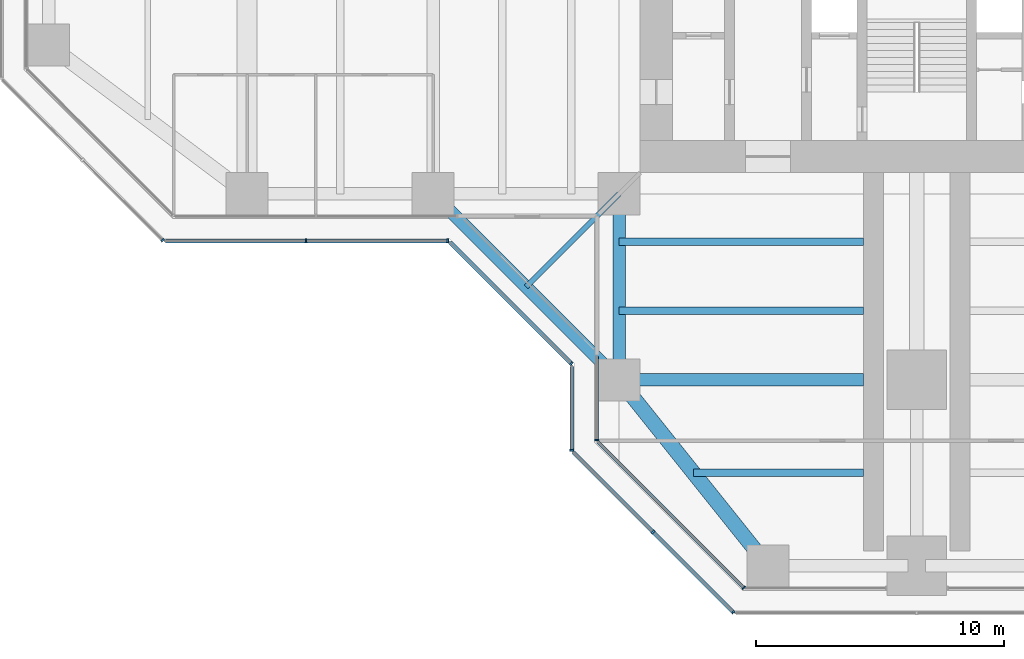
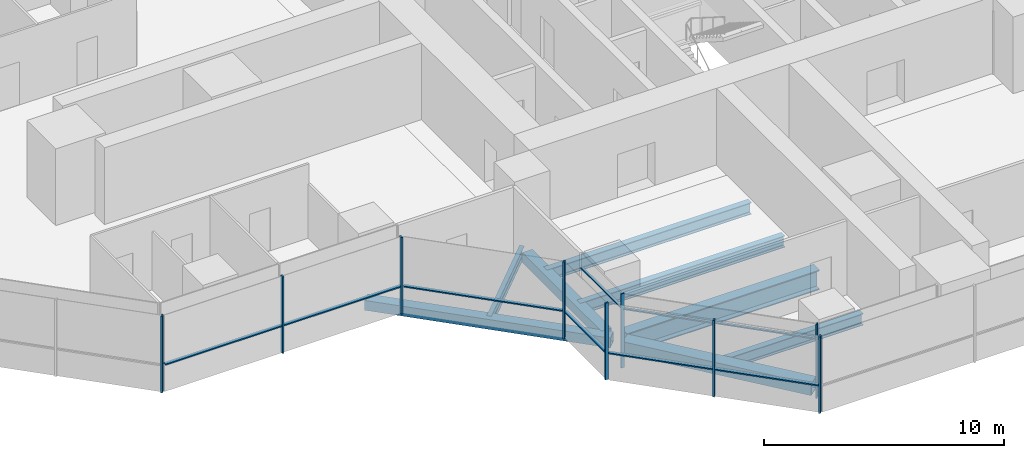
# One storey, part 2 of 20: 17 members, 8 beams, 7 elements without a shape of their own.
"""IFC4 building model written with IfcOpenShell, lengths in metres."""

from ifc_helpers import new_model, si_unit, direction, frame, origin, origin_2d, place, context, subcontext, project, spatial, rectangle, hollow_rectangle, i_section, extrude, material, material_profile, profile_set, type_object, element, aggregate, save


model = new_model("IFC4")

# Units and contexts
model_context = context("Model", 3, precision=1e-05, world=origin(), true_north=direction((0.0, 1.0)))
body_context = subcontext(model_context, "Body", "Model", "MODEL_VIEW")
ifc_project = project(units=[si_unit("LENGTHUNIT", "METRE"), si_unit("AREAUNIT", "SQUARE_METRE"), si_unit("VOLUMEUNIT", "CUBIC_METRE"), si_unit("PLANEANGLEUNIT", "RADIAN"), si_unit("MASSUNIT", "GRAM", prefix="KILO")], contexts=[model_context])

# Site, building, storey
site_placement = place(None, origin())
site = spatial("IfcSite", under=ifc_project, at=site_placement, CompositionType="ELEMENT")
building_placement = place(site_placement, origin())
building = spatial("IfcBuilding", under=site, at=building_placement, Name="Mizan Broadcast Tower", CompositionType="ELEMENT")
storey_placement = place(building_placement, frame((0.0, 0.0, 178.800048828125)))
storey = spatial("IfcBuildingStorey", under=building, at=storey_placement, Name="L41", CompositionType="ELEMENT", Elevation=178.800048828125)

# Beams
ifc_material_1 = material(Name="Steel S355", Category="steel")
ifc_material_profile_1 = material_profile(ifc_material_1, hollow_rectangle(XDim=0.5, YDim=0.5, WallThickness=0.030029296875, at=origin_2d()), Name="BOX 500x500x30")
ifc_profile_set_1 = profile_set([ifc_material_profile_1], Name="Steel S355")
beam_type_1 = type_object("IfcBeamType", Name="EDGE BEAM BOX 500x500x30", PredefinedType="SPANDREL", material=ifc_profile_set_1)
beam_1_placement = place(storey_placement, frame((-12.0, -12.449951171875, -0.380126953125), z_axis=(0.0, -1.0, 0.0), x_axis=(1.0, 0.0, 0.0)))
element("IfcBeam", 1, at=beam_1_placement, inside=storey, type_object=beam_type_1, Name="Edge beam BOX 500x500x30 L41 south arm", PredefinedType="SPANDREL", context=body_context, shape_type="SweptSolid", body=[
    extrude(hollow_rectangle(XDim=0.5, YDim=0.5, WallThickness=0.030029296875, at=origin_2d()), origin(), (0.0, 0.0, 1.0), 6.60009765625),
])
beam_2_placement = place(storey_placement, frame((-19.5, -12.0, -0.380126953125), z_axis=(0.707106781187, -0.707106781187, 0.0), x_axis=(0.707106781187, 0.707106781187, 0.0)))
element("IfcBeam", 2, at=beam_2_placement, inside=storey, type_object=beam_type_1, Name="Winter garden edge beam L41 W", PredefinedType="SPANDREL", context=body_context, shape_type="SweptSolid", body=[
    extrude(hollow_rectangle(XDim=0.5, YDim=0.5, WallThickness=0.030029296875, at=origin_2d()), origin(), (0.0, 0.0, 1.0), 10.606689453125),
])
ifc_material_2 = material(Name="Steel S355", Category="steel")
ifc_material_profile_2 = material_profile(ifc_material_2, hollow_rectangle(XDim=0.60009765625, YDim=0.60009765625, WallThickness=0.030029296875, at=origin_2d()), Name="BOX 600x600x30")
ifc_profile_set_2 = profile_set([ifc_material_profile_2], Name="Steel S355")
beam_type_2 = type_object("IfcBeamType", Name="EDGE BEAM BOX 600x600x30", PredefinedType="SPANDREL", material=ifc_profile_set_2)
beam_3_placement = place(storey_placement, frame((-11.639892578125, -19.949951171875, -0.429931640625), z_axis=(0.624673911726, -0.780885717636, 0.0), x_axis=(0.780885717636, 0.624673911726, 0.0)))
element("IfcBeam", 3, at=beam_3_placement, inside=storey, type_object=beam_type_2, Name="Edge beam BOX 600x600x30 L41 south arm", PredefinedType="SPANDREL", context=body_context, shape_type="SweptSolid", body=[
    extrude(hollow_rectangle(XDim=0.60009765625, YDim=0.60009765625, WallThickness=0.030029296875, at=origin_2d()), origin(), (0.0, 0.0, 1.0), 8.4521484375),
])
ifc_material_3 = material(Name="Steel S460", Category="steel")
ifc_material_profile_3 = material_profile(ifc_material_3, i_section(OverallWidth=0.5, OverallDepth=1.0, WebThickness=0.02490234375, FlangeThickness=0.050048828125, at=origin_2d()), Name="WPG 1000x500")
ifc_profile_set_3 = profile_set([ifc_material_profile_3], Name="Steel S460")
beam_type_3 = type_object("IfcBeamType", Name="GIRDER WPG 1000x500", PredefinedType="BEAM", material=ifc_profile_set_3)
beam_4_placement = place(storey_placement, frame((-11.408935546875, -19.5, -0.630126953125), z_axis=(1.0, 0.0, 0.0), x_axis=(0.0, 1.0, 0.0)))
element("IfcBeam", 4, at=beam_4_placement, inside=storey, type_object=beam_type_3, Name="Girder WPG 1000x500 L41 south arm", PredefinedType="BEAM", context=body_context, shape_type="SweptSolid", body=[
    extrude(i_section(OverallWidth=0.5, OverallDepth=1.0, WebThickness=0.02490234375, FlangeThickness=0.050048828125, at=origin_2d()), origin(), (0.0, 0.0, 1.0), 9.259033203125),
])

# Curtain wall, member
ifc_material_4 = material(Name="Aluminium framed glazing", Category="aluminium")
curtain_wall_type_1 = type_object("IfcCurtainWallType", Name="INNER SKIN MID ZONE", PredefinedType="USERDEFINED", material=ifc_material_4)
curtain_wall_1_placement = place(storey_placement, origin())
curtain_wall_1 = element("IfcCurtainWall", 5, at=curtain_wall_1_placement, inside=storey, type_object=curtain_wall_type_1, Name="Inner skin mid zone L41 S side", ObjectType="INNER SKIN MID ZONE", PredefinedType="USERDEFINED")
ifc_material_5 = material(Name="Aluminium, pale anodised", Category="aluminium")
ifc_material_profile_4 = material_profile(ifc_material_5, rectangle(XDim=0.159912109375, YDim=0.06005859375, at=origin_2d()), Name="MULLION 160x60")
ifc_profile_set_4 = profile_set([ifc_material_profile_4], Name="Aluminium, pale anodised")
member_type_1 = type_object("IfcMemberType", Name="INNER SKIN MULLION 60x160", PredefinedType="MULLION", material=ifc_profile_set_4)
member_1_placement = place(storey_placement, frame((-12.89990234375, -21.928466796875, 0.0), z_axis=(0.0, 0.0, 1.0), x_axis=(1.0, 0.0, 0.0)))
member_1 = element("IfcMember", 6, at=member_1_placement, type_object=member_type_1, Name="Inner skin mid zone L41 S side mullion 2", PredefinedType="MULLION", context=body_context, shape_type="SweptSolid", body=[
    extrude(rectangle(XDim=0.159912109375, YDim=0.06005859375, at=origin_2d()), origin(), (0.0, 0.0, 1.0), 3.77001953125),
])

curtain_wall_2_placement = place(storey_placement, origin())
curtain_wall_2 = element("IfcCurtainWall", 7, at=curtain_wall_2_placement, inside=storey, type_object=curtain_wall_type_1, Name="Inner skin mid zone L41 S chamfer", ObjectType="INNER SKIN MID ZONE", PredefinedType="USERDEFINED")
member_2_placement = place(storey_placement, frame((-6.979736328125, -27.87890625, 0.0), z_axis=(0.0, 0.0, 1.0), x_axis=(0.707106781187, 0.707106781187, 0.0)))
member_2 = element("IfcMember", 8, at=member_2_placement, type_object=member_type_1, Name="Inner skin mid zone L41 S chamfer mullion 2", PredefinedType="MULLION", context=body_context, shape_type="SweptSolid", body=[
    extrude(rectangle(XDim=0.159912109375, YDim=0.06005859375, at=origin_2d()), origin(), (0.0, 0.0, 1.0), 3.77001953125),
])

# Member
ifc_material_6 = material(Name="Aluminium, pale anodised", Category="aluminium")
ifc_material_profile_5 = material_profile(ifc_material_6, rectangle(XDim=0.1201171875, YDim=0.06005859375, at=origin_2d()), Name="TRANSOM 120x60")
ifc_profile_set_5 = profile_set([ifc_material_profile_5], Name="Aluminium, pale anodised")
member_type_2 = type_object("IfcMemberType", Name="INNER SKIN TRANSOM 60x120", PredefinedType="USERDEFINED", material=ifc_profile_set_5)
member_3_placement = place(storey_placement, frame((-12.89990234375, -18.56005859375, 3.030029296875), z_axis=(0.0, -1.0, 0.0), x_axis=(1.0, 0.0, 0.0)))
member_3 = element("IfcMember", 9, at=member_3_placement, type_object=member_type_2, Name="Inner skin mid zone L41 S side transom 1.1", ObjectType="TRANSOM", PredefinedType="USERDEFINED", context=body_context, shape_type="SweptSolid", body=[
    extrude(rectangle(XDim=0.1201171875, YDim=0.06005859375, at=origin_2d()), origin(), (0.0, 0.0, 1.0), 3.338623046875),
])

aggregate(curtain_wall_1, [member_1, member_3])

member_4_placement = place(storey_placement, frame((-12.857666015625, -22.0009765625, 3.030029296875), z_axis=(0.707106781187, -0.707106781187, 0.0), x_axis=(0.707106781187, 0.707106781187, 0.0)))
member_4 = element("IfcMember", 10, at=member_4_placement, type_object=member_type_2, Name="Inner skin mid zone L41 S chamfer transom 1.1", ObjectType="TRANSOM", PredefinedType="USERDEFINED", context=body_context, shape_type="SweptSolid", body=[
    extrude(rectangle(XDim=0.1201171875, YDim=0.06005859375, at=origin_2d()), origin(), (0.0, 0.0, 1.0), 8.28271484375),
])

aggregate(curtain_wall_2, [member_2, member_4])

# Curtain wall, member
ifc_material_7 = material(Name="Aluminium framed glazing", Category="aluminium")
curtain_wall_type_2 = type_object("IfcCurtainWallType", Name="OUTER SKIN", PredefinedType="USERDEFINED", material=ifc_material_7)
curtain_wall_3_placement = place(storey_placement, origin())
curtain_wall_3 = element("IfcCurtainWall", 11, at=curtain_wall_3_placement, inside=storey, type_object=curtain_wall_type_2, Name="Outer skin L41 W chamfer", ObjectType="OUTER SKIN", PredefinedType="USERDEFINED")
ifc_material_8 = material(Name="Aluminium, pale anodised", Category="aluminium")
ifc_material_profile_6 = material_profile(ifc_material_8, rectangle(XDim=0.159912109375, YDim=0.080078125, at=origin_2d()), Name="MULLION 160x80")
ifc_profile_set_6 = profile_set([ifc_material_profile_6], Name="Aluminium, pale anodised")
member_type_3 = type_object("IfcMemberType", Name="OUTER SKIN MULLION 80x160", PredefinedType="MULLION", material=ifc_profile_set_6)
member_5_placement = place(storey_placement, frame((-30.401123046875, -13.871826171875, 0.0), z_axis=(0.0, 0.0, 1.0), x_axis=(0.707106781187, 0.707106781187, 0.0)))
member_5 = element("IfcMember", 12, at=member_5_placement, type_object=member_type_3, Name="Outer skin L41 W chamfer mullion 3", PredefinedType="MULLION", context=body_context, shape_type="SweptSolid", body=[
    extrude(rectangle(XDim=0.159912109375, YDim=0.080078125, at=origin_2d()), origin(), (0.0, 0.0, 1.0), 3.89990234375),
])
aggregate(curtain_wall_3, [member_5])

# Curtain wall, members
curtain_wall_4_placement = place(storey_placement, origin())
curtain_wall_4 = element("IfcCurtainWall", 13, at=curtain_wall_4_placement, inside=storey, type_object=curtain_wall_type_2, Name="Outer skin L41 W side", ObjectType="OUTER SKIN", PredefinedType="USERDEFINED")
member_6_placement = place(storey_placement, frame((-24.622802734375, -13.89990234375, 0.0), z_axis=(0.0, 0.0, 1.0), x_axis=(0.0, 1.0, 0.0)))
member_6 = element("IfcMember", 14, at=member_6_placement, type_object=member_type_3, Name="Outer skin L41 W side mullion 2", PredefinedType="MULLION", context=body_context, shape_type="SweptSolid", body=[
    extrude(rectangle(XDim=0.159912109375, YDim=0.080078125, at=origin_2d()), origin(), (0.0, 0.0, 1.0), 3.89990234375),
])
member_7_placement = place(storey_placement, frame((-18.912841796875, -13.89990234375, 0.0), z_axis=(0.0, 0.0, 1.0), x_axis=(0.0, 1.0, 0.0)))
member_7 = element("IfcMember", 15, at=member_7_placement, type_object=member_type_3, Name="Outer skin L41 W side mullion 3", PredefinedType="MULLION", context=body_context, shape_type="SweptSolid", body=[
    extrude(rectangle(XDim=0.159912109375, YDim=0.080078125, at=origin_2d()), origin(), (0.0, 0.0, 1.0), 3.89990234375),
])

# Curtain wall, member
curtain_wall_5_placement = place(storey_placement, origin())
curtain_wall_5 = element("IfcCurtainWall", 16, at=curtain_wall_5_placement, inside=storey, type_object=curtain_wall_type_2, Name="Outer skin L41 W chamfer", ObjectType="OUTER SKIN", PredefinedType="USERDEFINED")
member_8_placement = place(storey_placement, frame((-13.92822265625, -18.844482421875, 0.0), z_axis=(0.0, 0.0, 1.0), x_axis=(0.707106781187, 0.707106781187, 0.0)))
member_8 = element("IfcMember", 17, at=member_8_placement, type_object=member_type_3, Name="Outer skin L41 W chamfer mullion 2", PredefinedType="MULLION", context=body_context, shape_type="SweptSolid", body=[
    extrude(rectangle(XDim=0.159912109375, YDim=0.080078125, at=origin_2d()), origin(), (0.0, 0.0, 1.0), 3.89990234375),
])

curtain_wall_6_placement = place(storey_placement, origin())
curtain_wall_6 = element("IfcCurtainWall", 18, at=curtain_wall_6_placement, inside=storey, type_object=curtain_wall_type_2, Name="Outer skin L41 S side", ObjectType="OUTER SKIN", PredefinedType="USERDEFINED")
member_9_placement = place(storey_placement, frame((-13.89990234375, -22.332763671875, 0.0), z_axis=(0.0, 0.0, 1.0), x_axis=(1.0, 0.0, 0.0)))
member_9 = element("IfcMember", 19, at=member_9_placement, type_object=member_type_3, Name="Outer skin L41 S side mullion 2", PredefinedType="MULLION", context=body_context, shape_type="SweptSolid", body=[
    extrude(rectangle(XDim=0.159912109375, YDim=0.080078125, at=origin_2d()), origin(), (0.0, 0.0, 1.0), 3.89990234375),
])

# Curtain wall, members
curtain_wall_7_placement = place(storey_placement, origin())
curtain_wall_7 = element("IfcCurtainWall", 20, at=curtain_wall_7_placement, inside=storey, type_object=curtain_wall_type_2, Name="Outer skin L41 S chamfer", ObjectType="OUTER SKIN", PredefinedType="USERDEFINED")
member_10_placement = place(storey_placement, frame((-10.636474609375, -25.636474609375, 0.0), z_axis=(0.0, 0.0, 1.0), x_axis=(0.707106781187, 0.707106781187, 0.0)))
member_10 = element("IfcMember", 21, at=member_10_placement, type_object=member_type_3, Name="Outer skin L41 S chamfer mullion 2", PredefinedType="MULLION", context=body_context, shape_type="SweptSolid", body=[
    extrude(rectangle(XDim=0.159912109375, YDim=0.080078125, at=origin_2d()), origin(), (0.0, 0.0, 1.0), 3.89990234375),
])
member_11_placement = place(storey_placement, frame((-7.401123046875, -28.871826171875, 0.0), z_axis=(0.0, 0.0, 1.0), x_axis=(0.707106781187, 0.707106781187, 0.0)))
member_11 = element("IfcMember", 22, at=member_11_placement, type_object=member_type_3, Name="Outer skin L41 S chamfer mullion 3", PredefinedType="MULLION", context=body_context, shape_type="SweptSolid", body=[
    extrude(rectangle(XDim=0.159912109375, YDim=0.080078125, at=origin_2d()), origin(), (0.0, 0.0, 1.0), 3.89990234375),
])

# Member
ifc_material_9 = material(Name="Aluminium, pale anodised", Category="aluminium")
ifc_material_profile_7 = material_profile(ifc_material_9, rectangle(XDim=0.159912109375, YDim=0.06005859375, at=origin_2d()), Name="TRANSOM 160x60")
ifc_profile_set_7 = profile_set([ifc_material_profile_7], Name="Aluminium, pale anodised")
member_type_4 = type_object("IfcMemberType", Name="OUTER SKIN TRANSOM 60x160", PredefinedType="USERDEFINED", material=ifc_profile_set_7)
member_12_placement = place(storey_placement, frame((-30.292724609375, -13.89990234375, 1.39990234375), z_axis=(1.0, 0.0, 0.0), x_axis=(0.0, 1.0, 0.0)))
member_12 = element("IfcMember", 23, at=member_12_placement, type_object=member_type_4, Name="Outer skin L41 W side transom 1.1", ObjectType="TRANSOM", PredefinedType="USERDEFINED", context=body_context, shape_type="SweptSolid", body=[
    extrude(rectangle(XDim=0.159912109375, YDim=0.06005859375, at=origin_2d()), origin(), (0.0, 0.0, 1.0), 5.6298828125),
])

member_13_placement = place(storey_placement, frame((-24.582763671875, -13.89990234375, 1.39990234375), z_axis=(1.0, 0.0, 0.0), x_axis=(0.0, 1.0, 0.0)))
member_13 = element("IfcMember", 24, at=member_13_placement, type_object=member_type_4, Name="Outer skin L41 W side transom 2.1", ObjectType="TRANSOM", PredefinedType="USERDEFINED", context=body_context, shape_type="SweptSolid", body=[
    extrude(rectangle(XDim=0.159912109375, YDim=0.06005859375, at=origin_2d()), origin(), (0.0, 0.0, 1.0), 5.6298828125),
])

aggregate(curtain_wall_4, [member_6, member_7, member_12, member_13])

member_14_placement = place(storey_placement, frame((-18.816162109375, -13.95654296875, 1.39990234375), z_axis=(0.707106781187, -0.707106781187, 0.0), x_axis=(0.707106781187, 0.707106781187, 0.0)))
member_14 = element("IfcMember", 25, at=member_14_placement, type_object=member_type_4, Name="Outer skin L41 W chamfer transom 1.1", ObjectType="TRANSOM", PredefinedType="USERDEFINED", context=body_context, shape_type="SweptSolid", body=[
    extrude(rectangle(XDim=0.159912109375, YDim=0.06005859375, at=origin_2d()), origin(), (0.0, 0.0, 1.0), 6.87255859375),
])

aggregate(curtain_wall_5, [member_8, member_14])

member_15_placement = place(storey_placement, frame((-13.89990234375, -18.952880859375, 1.39990234375), z_axis=(0.0, -1.0, 0.0), x_axis=(1.0, 0.0, 0.0)))
member_15 = element("IfcMember", 26, at=member_15_placement, type_object=member_type_4, Name="Outer skin L41 S side transom 1.1", ObjectType="TRANSOM", PredefinedType="USERDEFINED", context=body_context, shape_type="SweptSolid", body=[
    extrude(rectangle(XDim=0.159912109375, YDim=0.06005859375, at=origin_2d()), origin(), (0.0, 0.0, 1.0), 3.33984375),
])

aggregate(curtain_wall_6, [member_9, member_15])

member_16_placement = place(storey_placement, frame((-13.843505859375, -22.429443359375, 1.39990234375), z_axis=(0.707106781187, -0.707106781187, 0.0), x_axis=(0.707106781187, 0.707106781187, 0.0)))
member_16 = element("IfcMember", 27, at=member_16_placement, type_object=member_type_4, Name="Outer skin L41 S chamfer transom 1.1", ObjectType="TRANSOM", PredefinedType="USERDEFINED", context=body_context, shape_type="SweptSolid", body=[
    extrude(rectangle(XDim=0.159912109375, YDim=0.06005859375, at=origin_2d()), origin(), (0.0, 0.0, 1.0), 4.495361328125),
])

member_17_placement = place(storey_placement, frame((-10.608154296875, -25.664794921875, 1.39990234375), z_axis=(0.707106781187, -0.707106781187, 0.0), x_axis=(0.707106781187, 0.707106781187, 0.0)))
member_17 = element("IfcMember", 28, at=member_17_placement, type_object=member_type_4, Name="Outer skin L41 S chamfer transom 2.1", ObjectType="TRANSOM", PredefinedType="USERDEFINED", context=body_context, shape_type="SweptSolid", body=[
    extrude(rectangle(XDim=0.159912109375, YDim=0.06005859375, at=origin_2d()), origin(), (0.0, 0.0, 1.0), 4.495361328125),
])

aggregate(curtain_wall_7, [member_10, member_11, member_16, member_17])

# Beams
ifc_material_10 = material(Name="Steel S355", Category="steel")
ifc_material_profile_8 = material_profile(ifc_material_10, i_section(OverallWidth=0.300048828125, OverallDepth=0.590087890625, WebThickness=0.012939453125, FlangeThickness=0.02490234375, FilletRadius=0.027099609375, at=origin_2d()), Name="HEA 600")
ifc_profile_set_8 = profile_set([ifc_material_profile_8], Name="Steel S355")
beam_type_4 = type_object("IfcBeamType", Name="SECONDARY BEAM HEA 600", PredefinedType="JOIST", material=ifc_profile_set_8)
for number, where, z_axis, x_axis, name in (
    (29, (-12.0, -13.933349609375, -0.425048828125), (1.0, 0.0, 0.0), (0.0, 1.0, 0.0), "Secondary beam HEA 600 L41 south arm"),
    (30, (-12.0, -16.716552734375, -0.425048828125), (1.0, 0.0, 0.0), (0.0, 1.0, 0.0), "Secondary beam HEA 600 L41 south arm"),
):
    element("IfcBeam", number, at=place(storey_placement, frame(where, z_axis=z_axis, x_axis=x_axis)), inside=storey, type_object=beam_type_4, Name=name, PredefinedType="JOIST", context=body_context, shape_type="SweptSolid", body=[
        extrude(i_section(OverallWidth=0.300048828125, OverallDepth=0.590087890625, WebThickness=0.012939453125, FlangeThickness=0.02490234375, FilletRadius=0.027099609375, at=origin_2d()), origin(), (0.0, 0.0, 1.0), 9.85009765625),
    ])
beam_5_placement = place(storey_placement, frame((-9.0, -23.25, -0.425048828125), z_axis=(1.0, 0.0, 0.0), x_axis=(0.0, 1.0, 0.0)))
element("IfcBeam", 31, at=beam_5_placement, inside=storey, type_object=beam_type_4, Name="Secondary beam HEA 600 L41 south arm", PredefinedType="JOIST", context=body_context, shape_type="SweptSolid", body=[
    extrude(i_section(OverallWidth=0.300048828125, OverallDepth=0.590087890625, WebThickness=0.012939453125, FlangeThickness=0.02490234375, FilletRadius=0.027099609375, at=origin_2d()), origin(), (0.0, 0.0, 1.0), 6.85009765625),
])
ifc_material_11 = material(Name="Steel S355", Category="steel")
ifc_material_profile_9 = material_profile(ifc_material_11, i_section(OverallWidth=0.2099609375, OverallDepth=0.550048828125, WebThickness=0.010986328125, FlangeThickness=0.01708984375, FilletRadius=0.02392578125, at=origin_2d()), Name="IPE 550")
ifc_profile_set_9 = profile_set([ifc_material_profile_9], Name="Steel S355")
beam_type_5 = type_object("IfcBeamType", Name="SECONDARY BEAM IPE 550", PredefinedType="JOIST", material=ifc_profile_set_9)
beam_6_placement = place(storey_placement, frame((-12.0, -12.0, -0.405029296875), z_axis=(-0.707106781187, -0.707106781187, 0.0), x_axis=(0.707106781187, -0.707106781187, 0.0)))
element("IfcBeam", 32, at=beam_6_placement, inside=storey, type_object=beam_type_5, Name="Winter garden beam L41 W", PredefinedType="JOIST", context=body_context, shape_type="SweptSolid", body=[
    extrude(i_section(OverallWidth=0.2099609375, OverallDepth=0.550048828125, WebThickness=0.010986328125, FlangeThickness=0.01708984375, FilletRadius=0.02392578125, at=origin_2d()), origin(), (0.0, 0.0, 1.0), 5.30322265625),
])

save(model, "model.ifc")
